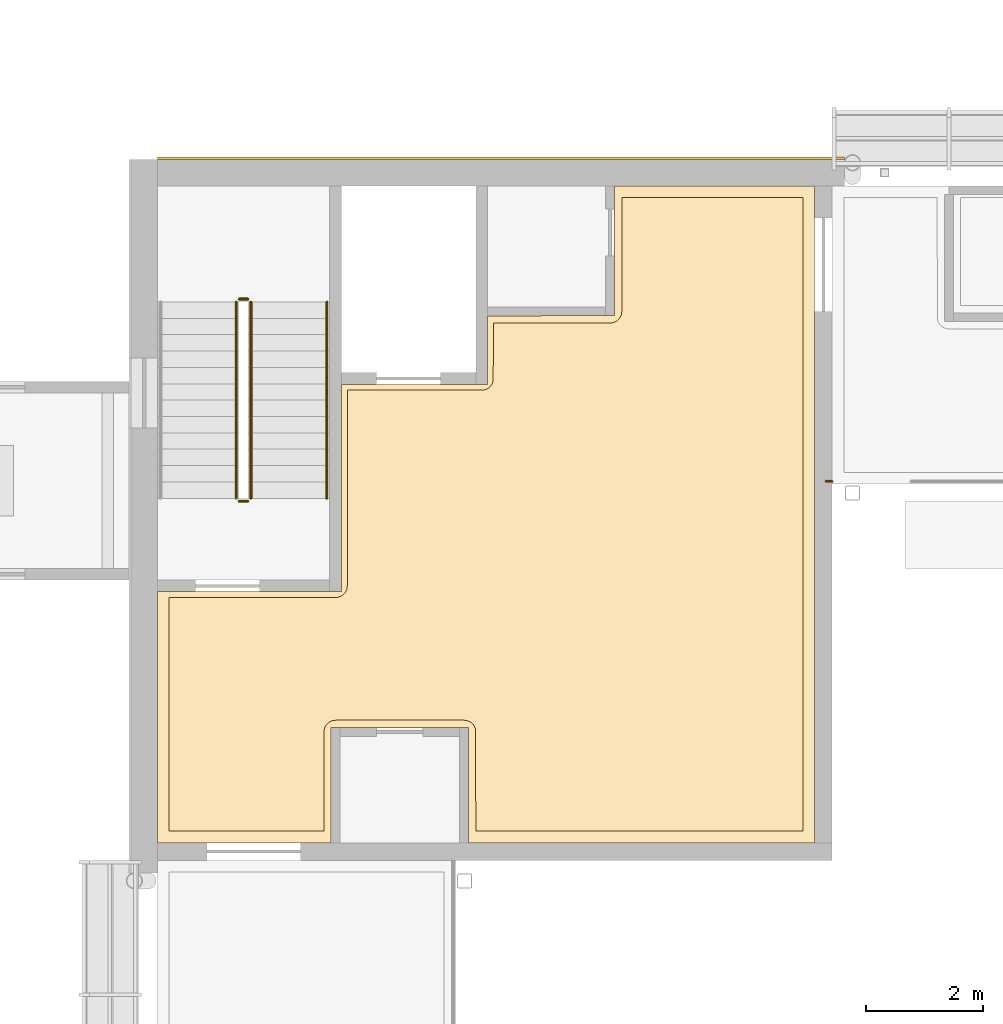
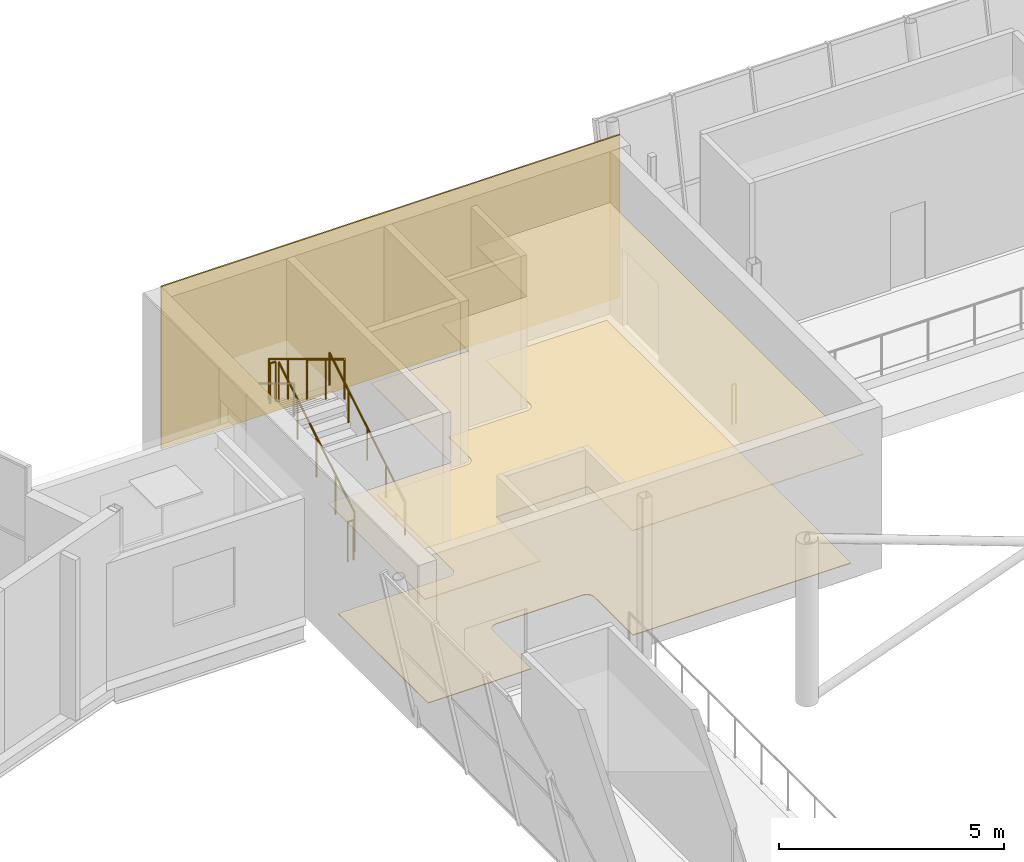
# One storey, part 103 of 115: 6 railings, 3 coverings.
"""IFC4 building model written with IfcOpenShell, lengths in metres."""

from ifc_helpers import new_model, si_unit, direction, frame, origin, origin_2d, place, context, subcontext, project, spatial, polyline, circle, outline, extrude, material, layer, layer_set, type_object, element, save


model = new_model("IFC4")

# Units and contexts
model_context = context("Model", 3, precision=1e-05, world=origin(), true_north=direction((0.0, 1.0)))
body_context = subcontext(model_context, "Body", "Model", "MODEL_VIEW")
ifc_project = project(units=[si_unit("LENGTHUNIT", "METRE"), si_unit("AREAUNIT", "SQUARE_METRE"), si_unit("VOLUMEUNIT", "CUBIC_METRE"), si_unit("PLANEANGLEUNIT", "RADIAN"), si_unit("MASSUNIT", "GRAM", prefix="KILO")], contexts=[model_context])

# Site, building, storey
site_placement = place(None, origin())
site = spatial("IfcSite", under=ifc_project, at=site_placement, CompositionType="ELEMENT")
building_placement = place(site_placement, origin())
building = spatial("IfcBuilding", under=site, at=building_placement, Name="Windward Yard Aquatics Centre", CompositionType="ELEMENT")
storey_placement = place(building_placement, frame((0.0, 0.0, 5.0)))
storey = spatial("IfcBuildingStorey", under=building, at=storey_placement, Name="L01", CompositionType="ELEMENT", Elevation=5.0)

# Covering
ifc_material_1 = material(Name="Polished screed")
ifc_layer_1 = layer(ifc_material_1, 0.0400390625)
ifc_layer_set_1 = layer_set([ifc_layer_1], Name="H Floor Finish Screed 40")
covering_type_1 = type_object("IfcCoveringType", Name="H Floor Finish Screed 40", PredefinedType="FLOORING", material=ifc_layer_set_1)
covering_1_placement = place(storey_placement, origin())
element("IfcCovering", 1, at=covering_1_placement, inside=storey, type_object=covering_type_1, Name="Core Lobby NW floor finish", PredefinedType="FLOORING", context=body_context, shape_type="SweptSolid", body=[
    extrude(outline(polyline([(52.64990234375, 84.5), (52.64990234375, 88.5), (55.5, 88.5), (55.5390625, 88.50390625), (55.55810546875, 88.508544921875), (55.59423828125, 88.523681640625), (55.626953125, 88.54541015625), (55.654541015625, 88.572998046875), (55.676513671875, 88.605712890625), (55.69140625, 88.641845703125), (55.698974609375, 88.680419921875), (55.699951171875, 88.699951171875), (55.699951171875, 92.050048828125), (58.0, 92.050048828125), (58.0390625, 92.0537109375), (58.05810546875, 92.05859375), (58.09423828125, 92.073486328125), (58.111083984375, 92.083740234375), (58.126953125, 92.095458984375), (58.154541015625, 92.123046875), (58.176513671875, 92.15576171875), (58.184814453125, 92.173583984375), (58.19140625, 92.19189453125), (58.198974609375, 92.23046875), (58.199951171875, 93.199951171875), (60.199951171875, 93.199951171875), (60.239013671875, 93.203857421875), (60.258056640625, 93.20849609375), (60.294189453125, 93.2236328125), (60.31103515625, 93.233642578125), (60.34130859375, 93.258544921875), (60.3544921875, 93.273193359375), (60.37646484375, 93.3056640625), (60.391357421875, 93.341796875), (60.39892578125, 93.38037109375), (60.39990234375, 93.39990234375), (60.39990234375, 95.35009765625), (63.5, 95.35009765625), (63.5, 84.5), (57.89990234375, 84.5), (57.89892578125, 86.219482421875), (57.891357421875, 86.258056640625), (57.87646484375, 86.294189453125), (57.8544921875, 86.326904296875), (57.826904296875, 86.3544921875), (57.794189453125, 86.37646484375), (57.758056640625, 86.391357421875), (57.739013671875, 86.396240234375), (57.699951171875, 86.39990234375), (55.5, 86.39990234375), (55.4609375, 86.396240234375), (55.44189453125, 86.391357421875), (55.40576171875, 86.37646484375), (55.373046875, 86.3544921875), (55.345458984375, 86.326904296875), (55.323486328125, 86.294189453125), (55.30859375, 86.258056640625), (55.301025390625, 86.219482421875), (55.300048828125, 86.199951171875), (55.300048828125, 84.5), (52.64990234375, 84.5)])), origin(), (0.0, 0.0, 1.0), 0.02001953125),
])

# Railings
ifc_material_2 = material(Name="Stainless steel 1.4529", Category="steel")
railing_type_1 = type_object("IfcRailingType", Name="H Guard Steel 1100", PredefinedType="GUARDRAIL", material=ifc_material_2)
railing_1_placement = place(storey_placement, frame((54.050048828125, 90.199951171875, 0.169189453125)))
element("IfcRailing", 2, at=railing_1_placement, inside=storey, type_object=railing_type_1, Name="L01 ST3 stair guard 1", PredefinedType="GUARDRAIL", context=body_context, shape_type="SweptSolid", body=[
    extrude(circle(Radius=0.02392578125, at=origin_2d()), frame((0.0, 0.0, 1.076171875), z_axis=(0.0, 0.855836976705, 0.517245656632), x_axis=(-1.0, 0.0, 0.0)), (0.0, 0.0, 1.0), 3.926025390625),
    extrude(circle(Radius=0.02099609375, at=origin_2d()), origin(), (0.0, 0.0, 1.0), 1.052001953125),
    extrude(circle(Radius=0.02099609375, at=origin_2d()), frame((0.0, 0.840087890625, 0.5078125)), (0.0, 0.0, 1.0), 1.052001953125),
    extrude(circle(Radius=0.02099609375, at=origin_2d()), frame((0.0, 1.68017578125, 1.015380859375)), (0.0, 0.0, 1.0), 1.052001953125),
    extrude(circle(Radius=0.02099609375, at=origin_2d()), frame((0.0, 2.52001953125, 1.52294921875)), (0.0, 0.0, 1.0), 1.052001953125),
    extrude(circle(Radius=0.02099609375, at=origin_2d()), frame((0.0, 3.360107421875, 2.03076171875)), (0.0, 0.0, 1.0), 1.052001953125),
])
railing_2_placement = place(storey_placement, frame((54.0, 93.610107421875, 2.199951171875)))
element("IfcRailing", 3, at=railing_2_placement, inside=storey, type_object=railing_type_1, Name="L01 ST3 stair guard 2", PredefinedType="GUARDRAIL", context=body_context, shape_type="SweptSolid", body=[
    extrude(circle(Radius=0.02392578125, at=origin_2d()), frame((0.0, 0.0, 1.076171875), z_axis=(-1.0, 0.0, 0.0), x_axis=(0.0, -1.0, 0.0)), (0.0, 0.0, 1.0), 0.14990234375),
    extrude(circle(Radius=0.02099609375, at=origin_2d()), origin(), (0.0, 0.0, 1.0), 1.052001953125),
    extrude(circle(Radius=0.02099609375, at=origin_2d()), frame((-0.14990234375, 0.0, 0.0)), (0.0, 0.0, 1.0), 1.052001953125),
])
railing_3_placement = place(storey_placement, frame((53.800048828125, 93.56005859375, 2.369140625)))
element("IfcRailing", 4, at=railing_3_placement, inside=storey, type_object=railing_type_1, Name="L01 ST3 stair guard 3", PredefinedType="GUARDRAIL", context=body_context, shape_type="SweptSolid", body=[
    extrude(circle(Radius=0.02392578125, at=origin_2d()), frame((0.0, 0.0, 1.076171875), z_axis=(0.0, -0.855836976705, 0.517245656632), x_axis=(1.0, 0.0, 0.0)), (0.0, 0.0, 1.0), 3.926025390625),
    extrude(circle(Radius=0.02099609375, at=origin_2d()), origin(), (0.0, 0.0, 1.0), 1.052001953125),
    extrude(circle(Radius=0.02099609375, at=origin_2d()), frame((0.0, -0.840087890625, 0.5078125)), (0.0, 0.0, 1.0), 1.052001953125),
    extrude(circle(Radius=0.02099609375, at=origin_2d()), frame((0.0, -1.68017578125, 1.015380859375)), (0.0, 0.0, 1.0), 1.052001953125),
    extrude(circle(Radius=0.02099609375, at=origin_2d()), frame((0.0, -2.52001953125, 1.52294921875)), (0.0, 0.0, 1.0), 1.052001953125),
    extrude(circle(Radius=0.02099609375, at=origin_2d()), frame((0.0, -3.360107421875, 2.03076171875)), (0.0, 0.0, 1.0), 1.052001953125),
])
railing_4_placement = place(storey_placement, frame((54.0, 90.14990234375, 0.0)))
element("IfcRailing", 5, at=railing_4_placement, inside=storey, type_object=railing_type_1, Name="L01 ST3 stair guard 4", PredefinedType="GUARDRAIL", context=body_context, shape_type="SweptSolid", body=[
    extrude(circle(Radius=0.02392578125, at=origin_2d()), frame((0.0, 0.0, 1.076171875), z_axis=(-1.0, 0.0, 0.0), x_axis=(0.0, -1.0, 0.0)), (0.0, 0.0, 1.0), 0.14990234375),
    extrude(circle(Radius=0.02099609375, at=origin_2d()), origin(), (0.0, 0.0, 1.0), 1.052001953125),
    extrude(circle(Radius=0.02099609375, at=origin_2d()), frame((-0.14990234375, 0.0, 0.0)), (0.0, 0.0, 1.0), 1.052001953125),
])
railing_5_placement = place(storey_placement, frame((64.0, 90.490478515625, 0.0)))
element("IfcRailing", 6, at=railing_5_placement, inside=storey, type_object=railing_type_1, Name="Concourse edge guard N1", PredefinedType="GUARDRAIL", context=body_context, shape_type="SweptSolid", body=[
    extrude(circle(Radius=0.02392578125, at=origin_2d()), frame((0.0, 0.0, 1.076171875), z_axis=(-1.0, 0.0, 0.0), x_axis=(0.0, -1.0, 0.0)), (0.0, 0.0, 1.0), 0.10009765625),
    extrude(circle(Radius=0.02099609375, at=origin_2d()), origin(), (0.0, 0.0, 1.0), 1.052001953125),
    extrude(circle(Radius=0.02099609375, at=origin_2d()), frame((-0.10009765625, 0.0, 0.0)), (0.0, 0.0, 1.0), 1.052001953125),
])
railing_type_2 = type_object("IfcRailingType", Name="H Handrail Steel 900", PredefinedType="HANDRAIL", material=ifc_material_2)
railing_6_placement = place(storey_placement, frame((55.35009765625, 90.199951171875, 0.169189453125)))
element("IfcRailing", 7, at=railing_6_placement, inside=storey, type_object=railing_type_2, Name="L01 ST3 stair handrail 1", PredefinedType="HANDRAIL", context=body_context, shape_type="SweptSolid", body=[
    extrude(circle(Radius=0.02392578125, at=origin_2d()), frame((0.0, 0.0, 0.8759765625), z_axis=(0.0, 0.855836976705, 0.517245656632), x_axis=(-1.0, 0.0, 0.0)), (0.0, 0.0, 1.0), 3.926025390625),
    extrude(circle(Radius=0.02099609375, at=origin_2d()), origin(), (0.0, 0.0, 1.0), 0.851806640625),
    extrude(circle(Radius=0.02099609375, at=origin_2d()), frame((0.0, 0.840087890625, 0.5078125)), (0.0, 0.0, 1.0), 0.851806640625),
    extrude(circle(Radius=0.02099609375, at=origin_2d()), frame((0.0, 1.68017578125, 1.015380859375)), (0.0, 0.0, 1.0), 0.851806640625),
    extrude(circle(Radius=0.02099609375, at=origin_2d()), frame((0.0, 2.52001953125, 1.52294921875)), (0.0, 0.0, 1.0), 0.851806640625),
    extrude(circle(Radius=0.02099609375, at=origin_2d()), frame((0.0, 3.360107421875, 2.03076171875)), (0.0, 0.0, 1.0), 0.851806640625),
])

# Coverings
ifc_material_3 = material(Name="Mineral fibre tile")
ifc_layer_2 = layer(ifc_material_3, 0.02001953125)
ifc_layer_set_2 = layer_set([ifc_layer_2], Name="H Suspended Ceiling 600 x 600")
covering_type_2 = type_object("IfcCoveringType", Name="H Suspended Ceiling 600 x 600", PredefinedType="CEILING", material=ifc_layer_set_2)
covering_2_placement = place(storey_placement, frame((0.0, 0.0, 3.0)))
element("IfcCovering", 8, at=covering_2_placement, inside=storey, type_object=covering_type_2, Name="Core Lobby NW ceiling", PredefinedType="CEILING", context=body_context, shape_type="SweptSolid", body=[
    extrude(outline(polyline([(52.450439453125, 84.300537109375), (52.450439453125, 88.599609375), (55.6005859375, 88.60009765625), (55.6005859375, 92.1494140625), (58.1005859375, 92.14990234375), (58.1005859375, 93.324462890625), (60.275390625, 93.324951171875), (60.275390625, 95.549560546875), (63.699462890625, 95.549560546875), (63.699462890625, 84.300537109375), (57.775390625, 84.300537109375), (57.775390625, 86.27490234375), (57.625, 86.275390625), (55.424560546875, 86.27490234375), (55.424560546875, 84.300537109375), (52.450439453125, 84.300537109375)])), origin(), (0.0, 0.0, 1.0), 0.02001953125),
])
ifc_material_4 = material(Name="Natural limestone cladding", Category="masonry")
ifc_layer_3 = layer(ifc_material_4, 0.0400390625)
ifc_layer_set_3 = layer_set([ifc_layer_3], Name="H natural stone cladding 40")
covering_type_3 = type_object("IfcCoveringType", Name="H natural stone cladding 40", PredefinedType="CLADDING", material=ifc_layer_set_3)
covering_3_placement = place(storey_placement, origin())
element("IfcCovering", 9, at=covering_3_placement, inside=storey, type_object=covering_type_3, Name="Stone cladding panel 63", PredefinedType="CLADDING", context=body_context, shape_type="SweptSolid", body=[
    extrude(outline(polyline([(52.449951171875, 96.0), (64.214111328125, 96.0), (64.214111328125, 96.0400390625), (52.449951171875, 96.0400390625), (52.449951171875, 96.0)])), origin(), (0.0, 0.0, 1.0), 4.39990234375),
])

save(model, "model.ifc")
